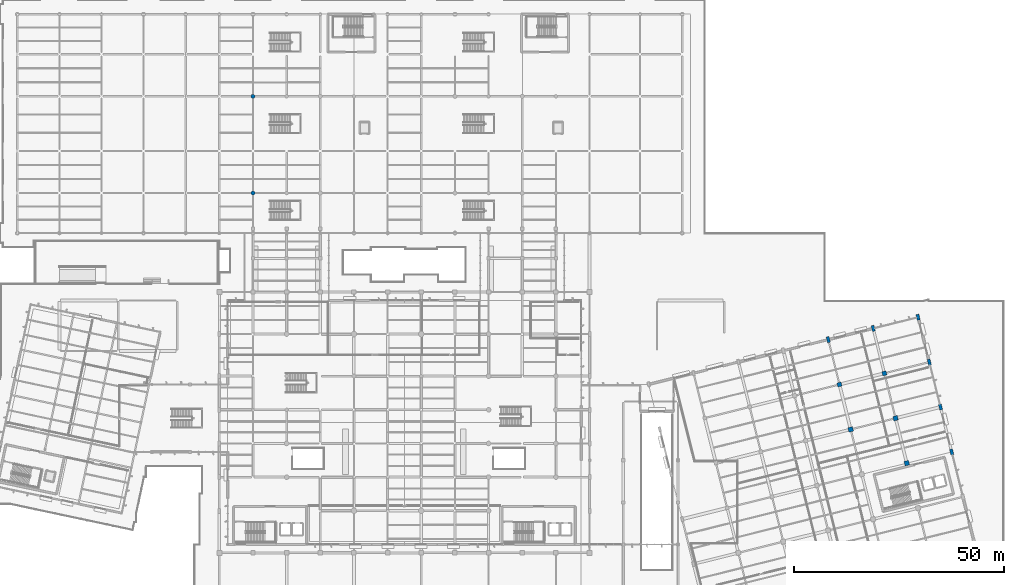
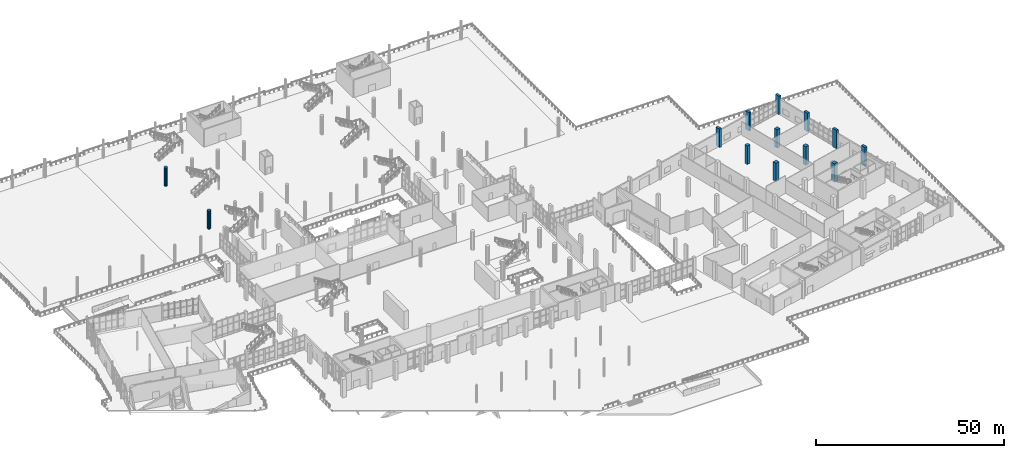
# One storey, part 21 of 163: 13 columns.
"""IFC4 building model written with IfcOpenShell, lengths in metres."""

from ifc_helpers import new_model, si_unit, direction, frame, origin, origin_2d, place, context, subcontext, project, spatial, rectangle, circle, extrude, material, material_profile, profile_set, type_object, element, save


model = new_model("IFC4")

# Units and contexts
model_context = context("Model", 3, precision=1e-05, world=origin(), true_north=direction((0.0, 1.0)))
body_context = subcontext(model_context, "Body", "Model", "MODEL_VIEW")
ifc_project = project(units=[si_unit("LENGTHUNIT", "METRE"), si_unit("AREAUNIT", "SQUARE_METRE"), si_unit("VOLUMEUNIT", "CUBIC_METRE"), si_unit("PLANEANGLEUNIT", "RADIAN"), si_unit("MASSUNIT", "GRAM", prefix="KILO")], contexts=[model_context])

# Site, building, storey
site_placement = place(None, origin())
site = spatial("IfcSite", under=ifc_project, at=site_placement, CompositionType="ELEMENT")
building_placement = place(site_placement, origin())
building = spatial("IfcBuilding", under=site, at=building_placement, Name="Khorjan Park Terminus", CompositionType="ELEMENT")
storey_placement = place(building_placement, origin())
storey = spatial("IfcBuildingStorey", under=building, at=storey_placement, Name="L00", CompositionType="ELEMENT", Elevation=0.0)

# Columns
ifc_material = material(Name="Concrete C50/60", Category="concrete")
ifc_material_profile_1 = material_profile(ifc_material, rectangle(XDim=0.7, YDim=1.4, at=origin_2d()), Name="RC 700x1400")
ifc_profile_set_1 = profile_set([ifc_material_profile_1], Name="Concrete C50/60")
column_type_1 = type_object("IfcColumnType", Name="COL-BL1400E", PredefinedType="COLUMN", material=ifc_profile_set_1)
for number, where, z_axis, x_axis, name in (
    (1, (192.726, 76.684, 0.0), (0.0, 0.0, 1.0), (0.970295726276, 0.2419218956, 0.0), "Structural column C-BL14 (L00 #832)"),
    (2, (203.399, 79.345, 0.0), (0.0, 0.0, 1.0), (0.970295726276, 0.2419218956, 0.0), "Structural column C-BL14 (L00 #878)"),
    (3, (222.056, 49.987, 0.0), (0.0, 0.0, 1.0), (0.970295726276, 0.2419218956, 0.0), "Structural column C-BL14 (L00 #904)"),
    (4, (219.395, 60.66, 0.0), (0.0, 0.0, 1.0), (0.970295726276, 0.2419218956, 0.0), "Structural column C-BL14 (L00 #911)"),
    (5, (216.734, 71.333, 0.0), (0.0, 0.0, 1.0), (0.970295726276, 0.2419218956, 0.0), "Structural column C-BL14 (L00 #918)"),
    (6, (214.073, 82.006, 0.0), (0.0, 0.0, 1.0), (0.970295726276, 0.2419218956, 0.0), "Structural column C-BL14 (L00 #924)"),
):
    element("IfcColumn", number, at=place(storey_placement, frame(where, z_axis=z_axis, x_axis=x_axis)), inside=storey, type_object=column_type_1, Name=name, PredefinedType="COLUMN", context=body_context, shape_type="SweptSolid", body=[
        extrude(rectangle(XDim=0.7, YDim=1.4, at=origin_2d()), origin(), (0.0, 0.0, 1.0), 6.0),
    ])
ifc_material_profile_2 = material_profile(ifc_material, rectangle(XDim=1.0, YDim=1.0, at=origin_2d()), Name="RC 1000x1000")
ifc_profile_set_2 = profile_set([ifc_material_profile_2], Name="Concrete C50/60")
column_type_2 = type_object("IfcColumnType", Name="COL-RC1000", PredefinedType="COLUMN", material=ifc_profile_set_2)
for number, where, z_axis, x_axis, name in (
    (7, (195.387, 66.011, 0.0), (0.0, 0.0, 1.0), (0.970295726276, 0.2419218956, 0.0), "Structural column C-RC10 (L00 #826)"),
    (8, (206.061, 68.672, 0.0), (0.0, 0.0, 1.0), (0.970295726276, 0.2419218956, 0.0), "Structural column C-RC10 (L00 #872)"),
):
    element("IfcColumn", number, at=place(storey_placement, frame(where, z_axis=z_axis, x_axis=x_axis)), inside=storey, type_object=column_type_2, Name=name, PredefinedType="COLUMN", context=body_context, shape_type="SweptSolid", body=[
        extrude(rectangle(XDim=1.0, YDim=1.0, at=origin_2d()), origin(), (0.0, 0.0, 1.0), 6.0),
    ])
ifc_material_profile_3 = material_profile(ifc_material, rectangle(XDim=1.1, YDim=1.1, at=origin_2d()), Name="RC 1100x1100")
ifc_profile_set_3 = profile_set([ifc_material_profile_3], Name="Concrete C50/60")
column_type_3 = type_object("IfcColumnType", Name="COL-RC1100", PredefinedType="COLUMN", material=ifc_profile_set_3)
for number, where, z_axis, x_axis, name in (
    (9, (198.048, 55.338, 0.0), (0.0, 0.0, 1.0), (0.970295726276, 0.2419218956, 0.0), "Structural column C-RC11 (L00 #819)"),
    (10, (211.383, 47.325, 0.0), (0.0, 0.0, 1.0), (0.970295726276, 0.2419218956, 0.0), "Structural column C-RC11 (L00 #858)"),
    (11, (208.722, 57.999, 0.0), (0.0, 0.0, 1.0), (0.970295726276, 0.2419218956, 0.0), "Structural column C-RC11 (L00 #865)"),
):
    element("IfcColumn", number, at=place(storey_placement, frame(where, z_axis=z_axis, x_axis=x_axis)), inside=storey, type_object=column_type_3, Name=name, PredefinedType="COLUMN", context=body_context, shape_type="SweptSolid", body=[
        extrude(rectangle(XDim=1.1, YDim=1.1, at=origin_2d()), origin(), (0.0, 0.0, 1.0), 6.0),
    ])
ifc_material_profile_4 = material_profile(ifc_material, circle(Radius=0.475, at=origin_2d()), Name="RC D950")
ifc_profile_set_4 = profile_set([ifc_material_profile_4], Name="Concrete C50/60")
column_type_4 = type_object("IfcColumnType", Name="COL-RD950", PredefinedType="COLUMN", material=ifc_profile_set_4)
for number, where, z_axis, x_axis, name in (
    (12, (56.0, 111.5, 0.0), (0.0, 0.0, 1.0), (1.0, 0.0, 0.0), "Structural column C-RD95 (L00 #82)"),
    (13, (56.0, 134.5, 0.0), (0.0, 0.0, 1.0), (1.0, 0.0, 0.0), "Structural column C-RD95 (L00 #85)"),
):
    element("IfcColumn", number, at=place(storey_placement, frame(where, z_axis=z_axis, x_axis=x_axis)), inside=storey, type_object=column_type_4, Name=name, PredefinedType="COLUMN", context=body_context, shape_type="SweptSolid", body=[
        extrude(circle(Radius=0.475, at=origin_2d()), origin(), (0.0, 0.0, 1.0), 6.0),
    ])

save(model, "model.ifc")
